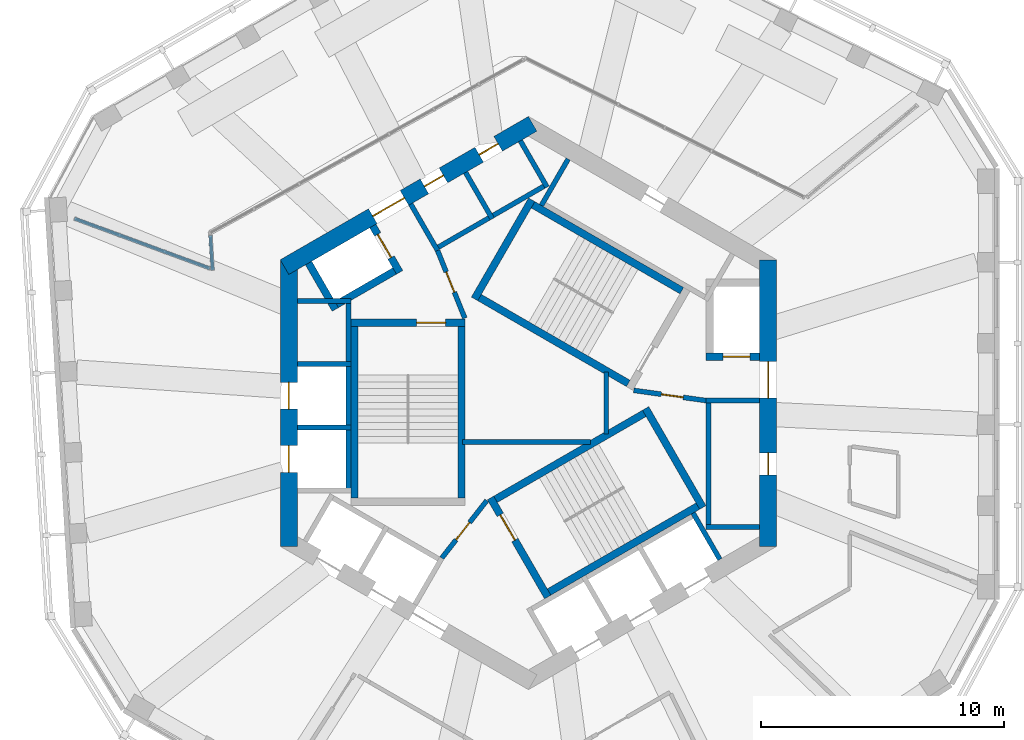
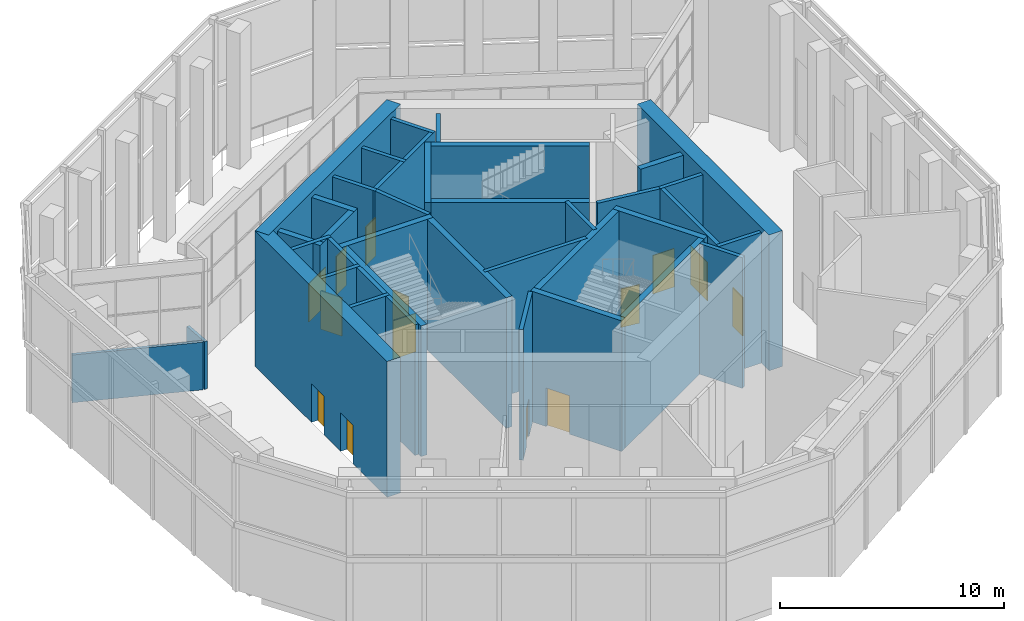
# One storey, part 9 of 16: 37 walls, 14 doors, 14 openings.
"""IFC4 building model written with IfcOpenShell, lengths in metres."""

from ifc_helpers import new_model, si_unit, direction, frame, frame_2d, origin, place, context, subcontext, project, spatial, rectangle, extrude, material, layer, layer_set, type_object, element, fill, save


model = new_model("IFC4")

# Units and contexts
model_context = context("Model", 3, precision=1e-05, world=origin(), true_north=direction((0.0, 1.0)))
body_context = subcontext(model_context, "Body", "Model", "MODEL_VIEW")
ifc_project = project(units=[si_unit("LENGTHUNIT", "METRE"), si_unit("AREAUNIT", "SQUARE_METRE"), si_unit("VOLUMEUNIT", "CUBIC_METRE"), si_unit("PLANEANGLEUNIT", "RADIAN"), si_unit("MASSUNIT", "GRAM", prefix="KILO")], contexts=[model_context])

# Site, building, storey
site_placement = place(None, origin())
site = spatial("IfcSite", under=ifc_project, at=site_placement, CompositionType="ELEMENT")
building_placement = place(site_placement, origin())
building = spatial("IfcBuilding", under=site, at=building_placement, Name="Vanh Sen Convention Tower", CompositionType="ELEMENT")
storey_placement = place(building_placement, frame((0.0, 0.0, 278.300048828125)))
storey = spatial("IfcBuildingStorey", under=building, at=storey_placement, Name="L69", CompositionType="ELEMENT", Elevation=278.300048828125)

# Wall, openings, doors
ifc_material_1 = material(Name="Concrete C60/75", Category="concrete")
ifc_layer_1 = layer(ifc_material_1, 0.699951171875)
ifc_layer_set_1 = layer_set([ifc_layer_1], Name="Concrete C60/75")
wall_type_1 = type_object("IfcWallType", Name="Core outer wall 700 C60/75", PredefinedType="SHEAR", material=ifc_layer_set_1)
wall_1_placement = place(storey_placement, frame((9.85009765625, -5.888916015625, 0.0), z_axis=(0.0, 0.0, 1.0), x_axis=(0.0, 1.0, 0.0)))
wall_1 = element("IfcWall", 1, at=wall_1_placement, inside=storey, type_object=wall_type_1, Name="Core wall face E L69", PredefinedType="SHEAR", context=body_context, shape_type="SweptSolid", body=[
    extrude(rectangle(XDim=11.77783203125, YDim=0.699951171875, at=frame_2d((5.888916015625, 0.0))), origin(), (0.0, 0.0, 1.0), 7.39990234375),
])
opening_1_placement = place(wall_1_placement, frame((6.089111328125, 0.0, 0.0)))
opening_1 = element("IfcOpeningElement", 2, at=opening_1_placement, cuts=wall_1, Name="Opening D69001", PredefinedType="OPENING", context=body_context, shape_type="SweptSolid", body=[
    extrude(rectangle(XDim=1.5, YDim=2.10009765625, at=frame_2d((0.75, 1.050048828125))), frame((0.0, 0.35986328125, 0.0), z_axis=(0.0, -1.0, 0.0), x_axis=(1.0, 0.0, 0.0)), (0.0, 0.0, 1.0), 0.719970703125),
])
opening_2_placement = place(wall_1_placement, frame((2.93896484375, 0.0, 0.0)))
opening_2 = element("IfcOpeningElement", 3, at=opening_2_placement, cuts=wall_1, Name="Opening D69010", PredefinedType="OPENING", context=body_context, shape_type="SweptSolid", body=[
    extrude(rectangle(XDim=0.89990234375, YDim=2.10009765625, at=frame_2d((0.449951171875, 1.050048828125))), frame((0.0, 0.35986328125, 0.0), z_axis=(0.0, -1.0, 0.0), x_axis=(1.0, 0.0, 0.0)), (0.0, 0.0, 1.0), 0.719970703125),
])
ifc_material_2 = material(Name="Steel S355", Category="steel")
door_type_1 = type_object("IfcDoorType", Name="Plant door 900", OperationType="SINGLE_SWING_LEFT", PredefinedType="DOOR", material=ifc_material_2)
door_1_placement = place(opening_2_placement, origin())
door_1 = element("IfcDoor", 4, at=door_1_placement, inside=storey, type_object=door_type_1, Name="Plant door D69010", OperationType="SINGLE_SWING_LEFT", OverallHeight=2.10009765625, OverallWidth=0.89990234375, PredefinedType="DOOR", context=body_context, shape_type="SweptSolid", body=[
    extrude(rectangle(XDim=0.89990234375, YDim=2.10009765625, at=frame_2d((0.449951171875, 1.050048828125))), frame((0.0, 0.02490234375, 0.0), z_axis=(0.0, -1.0, 0.0), x_axis=(1.0, 0.0, 0.0)), (0.0, 0.0, 1.0), 0.050048828125),
])
fill(opening_2, door_1)
door_type_2 = type_object("IfcDoorType", Name="Stair lobby door 1500", OperationType="DOUBLE_DOOR_SINGLE_SWING", PredefinedType="DOOR", material=ifc_material_2)
door_2_placement = place(opening_1_placement, origin())
door_2 = element("IfcDoor", 5, at=door_2_placement, inside=storey, type_object=door_type_2, Name="Stair lobby door D69001", OperationType="DOUBLE_DOOR_SINGLE_SWING", OverallHeight=2.10009765625, OverallWidth=1.5, PredefinedType="DOOR", context=body_context, shape_type="SweptSolid", body=[
    extrude(rectangle(XDim=1.5, YDim=2.10009765625, at=frame_2d((0.75, 1.050048828125))), frame((0.0, 0.02490234375, 0.0), z_axis=(0.0, -1.0, 0.0), x_axis=(1.0, 0.0, 0.0)), (0.0, 0.0, 1.0), 0.050048828125),
])
fill(opening_1, door_2)

wall_2_placement = place(storey_placement, frame((0.175048828125, 11.474853515625, 0.0), z_axis=(0.0, 0.0, 1.0), x_axis=(-0.866026453023, -0.499998182661, 0.0)))
wall_2 = element("IfcWall", 6, at=wall_2_placement, inside=storey, type_object=wall_type_1, Name="Core wall face NW L69", PredefinedType="SHEAR", context=body_context, shape_type="SweptSolid", body=[
    extrude(rectangle(XDim=11.77783203125, YDim=0.699951171875, at=frame_2d((5.888916015625, 0.0))), origin(), (0.0, 0.0, 1.0), 7.39990234375),
])
opening_3_placement = place(wall_2_placement, frame((6.089111328125, 0.0, 0.0)))
opening_3 = element("IfcOpeningElement", 7, at=opening_3_placement, cuts=wall_2, Name="Opening D69002", PredefinedType="OPENING", context=body_context, shape_type="SweptSolid", body=[
    extrude(rectangle(XDim=1.5, YDim=2.10009765625, at=frame_2d((0.75, 1.050048828125))), frame((0.0, 0.35986328125, 0.0), z_axis=(0.0, -1.0, 0.0), x_axis=(1.0, 0.0, 0.0)), (0.0, 0.0, 1.0), 0.719970703125),
])
opening_4_placement = place(wall_2_placement, frame((1.638916015625, 0.0, 0.0)))
opening_4 = element("IfcOpeningElement", 8, at=opening_4_placement, cuts=wall_2, Name="Opening D69012", PredefinedType="OPENING", context=body_context, shape_type="SweptSolid", body=[
    extrude(rectangle(XDim=0.89990234375, YDim=2.10009765625, at=frame_2d((0.449951171875, 1.050048828125))), frame((0.0, 0.35986328125, 0.0), z_axis=(0.0, -1.0, 0.0), x_axis=(1.0, 0.0, 0.0)), (0.0, 0.0, 1.0), 0.719970703125),
])
opening_5_placement = place(wall_2_placement, frame((4.239013671875, 0.0, 0.0)))
opening_5 = element("IfcOpeningElement", 9, at=opening_5_placement, cuts=wall_2, Name="Opening D69013", PredefinedType="OPENING", context=body_context, shape_type="SweptSolid", body=[
    extrude(rectangle(XDim=0.89990234375, YDim=2.10009765625, at=frame_2d((0.449951171875, 1.050048828125))), frame((0.0, 0.35986328125, 0.0), z_axis=(0.0, -1.0, 0.0), x_axis=(1.0, 0.0, 0.0)), (0.0, 0.0, 1.0), 0.719970703125),
])
door_3_placement = place(opening_4_placement, origin())
door_3 = element("IfcDoor", 10, at=door_3_placement, inside=storey, type_object=door_type_1, Name="Plant door D69012", OperationType="SINGLE_SWING_LEFT", OverallHeight=2.10009765625, OverallWidth=0.89990234375, PredefinedType="DOOR", context=body_context, shape_type="SweptSolid", body=[
    extrude(rectangle(XDim=0.89990234375, YDim=2.10009765625, at=frame_2d((0.449951171875, 1.050048828125))), frame((0.0, 0.02490234375, 0.0), z_axis=(0.0, -1.0, 0.0), x_axis=(1.0, 0.0, 0.0)), (0.0, 0.0, 1.0), 0.050048828125),
])
fill(opening_4, door_3)
door_4_placement = place(opening_5_placement, origin())
door_4 = element("IfcDoor", 11, at=door_4_placement, inside=storey, type_object=door_type_1, Name="Plant door D69013", OperationType="SINGLE_SWING_LEFT", OverallHeight=2.10009765625, OverallWidth=0.89990234375, PredefinedType="DOOR", context=body_context, shape_type="SweptSolid", body=[
    extrude(rectangle(XDim=0.89990234375, YDim=2.10009765625, at=frame_2d((0.449951171875, 1.050048828125))), frame((0.0, 0.02490234375, 0.0), z_axis=(0.0, -1.0, 0.0), x_axis=(1.0, 0.0, 0.0)), (0.0, 0.0, 1.0), 0.050048828125),
])
fill(opening_5, door_4)
door_5_placement = place(opening_3_placement, origin())
door_5 = element("IfcDoor", 12, at=door_5_placement, inside=storey, type_object=door_type_2, Name="Stair lobby door D69002", OperationType="DOUBLE_DOOR_SINGLE_SWING", OverallHeight=2.10009765625, OverallWidth=1.5, PredefinedType="DOOR", context=body_context, shape_type="SweptSolid", body=[
    extrude(rectangle(XDim=1.5, YDim=2.10009765625, at=frame_2d((0.75, 1.050048828125))), frame((0.0, 0.02490234375, 0.0), z_axis=(0.0, -1.0, 0.0), x_axis=(1.0, 0.0, 0.0)), (0.0, 0.0, 1.0), 0.050048828125),
])
fill(opening_3, door_5)

wall_3_placement = place(storey_placement, frame((-9.85009765625, 5.888916015625, 0.0), z_axis=(0.0, 0.0, 1.0), x_axis=(0.0, -1.0, 0.0)))
wall_3 = element("IfcWall", 13, at=wall_3_placement, inside=storey, type_object=wall_type_1, Name="Core wall face W L69", PredefinedType="SHEAR", context=body_context, shape_type="SweptSolid", body=[
    extrude(rectangle(XDim=11.77783203125, YDim=0.699951171875, at=frame_2d((5.888916015625, 0.0))), origin(), (0.0, 0.0, 1.0), 7.39990234375),
])
opening_6_placement = place(wall_3_placement, frame((5.0390625, 0.0, 0.0)))
opening_6 = element("IfcOpeningElement", 14, at=opening_6_placement, cuts=wall_3, Name="Opening LD-HR1", PredefinedType="OPENING", context=body_context, shape_type="SweptSolid", body=[
    extrude(rectangle(XDim=1.10009765625, YDim=2.10009765625, at=frame_2d((0.550048828125, 1.050048828125))), frame((0.0, 0.35986328125, 0.0), z_axis=(0.0, -1.0, 0.0), x_axis=(1.0, 0.0, 0.0)), (0.0, 0.0, 1.0), 0.719970703125),
])
opening_7_placement = place(wall_3_placement, frame((7.638916015625, 0.0, 0.0)))
opening_7 = element("IfcOpeningElement", 15, at=opening_7_placement, cuts=wall_3, Name="Opening LD-HR2", PredefinedType="OPENING", context=body_context, shape_type="SweptSolid", body=[
    extrude(rectangle(XDim=1.10009765625, YDim=2.10009765625, at=frame_2d((0.550048828125, 1.050048828125))), frame((0.0, 0.35986328125, 0.0), z_axis=(0.0, -1.0, 0.0), x_axis=(1.0, 0.0, 0.0)), (0.0, 0.0, 1.0), 0.719970703125),
])
ifc_material_3 = material(Name="Stainless steel", Category="steel")
door_type_3 = type_object("IfcDoorType", Name="Lift landing door 1100", OperationType="DOUBLE_DOOR_SLIDING", PredefinedType="DOOR", material=ifc_material_3)
door_6_placement = place(opening_6_placement, origin())
door_6 = element("IfcDoor", 16, at=door_6_placement, inside=storey, type_object=door_type_3, Name="Lift HR1 landing door LD-HR1", OperationType="DOUBLE_DOOR_SLIDING", OverallHeight=2.10009765625, OverallWidth=1.10009765625, PredefinedType="DOOR", context=body_context, shape_type="SweptSolid", body=[
    extrude(rectangle(XDim=1.10009765625, YDim=2.10009765625, at=frame_2d((0.550048828125, 1.050048828125))), frame((0.0, 0.02490234375, 0.0), z_axis=(0.0, -1.0, 0.0), x_axis=(1.0, 0.0, 0.0)), (0.0, 0.0, 1.0), 0.050048828125),
])
fill(opening_6, door_6)
door_7_placement = place(opening_7_placement, origin())
door_7 = element("IfcDoor", 17, at=door_7_placement, inside=storey, type_object=door_type_3, Name="Lift HR2 landing door LD-HR2", OperationType="DOUBLE_DOOR_SLIDING", OverallHeight=2.10009765625, OverallWidth=1.10009765625, PredefinedType="DOOR", context=body_context, shape_type="SweptSolid", body=[
    extrude(rectangle(XDim=1.10009765625, YDim=2.10009765625, at=frame_2d((0.550048828125, 1.050048828125))), frame((0.0, 0.02490234375, 0.0), z_axis=(0.0, -1.0, 0.0), x_axis=(1.0, 0.0, 0.0)), (0.0, 0.0, 1.0), 0.050048828125),
])
fill(opening_7, door_7)

# Walls
ifc_material_4 = material(Name="Masonry blockwork", Category="masonry")
ifc_layer_2 = layer(ifc_material_4, 0.199951171875)
ifc_layer_set_2 = layer_set([ifc_layer_2], Name="Masonry blockwork")
wall_type_2 = type_object("IfcWallType", Name="Core partition 200", PredefinedType="PARTITIONING", material=ifc_layer_set_2)
wall_4_placement = place(storey_placement, frame((-2.719970703125, -1.60009765625, 0.0), z_axis=(0.0, 0.0, 1.0), x_axis=(1.0, 0.0, 0.0)))
element("IfcWall", 18, at=wall_4_placement, inside=storey, type_object=wall_type_2, Name="Core partition L69", PredefinedType="PARTITIONING", context=body_context, shape_type="SweptSolid", body=[
    extrude(rectangle(XDim=5.2685546875, YDim=0.199951171875, at=frame_2d((2.63427734375, 0.0))), origin(), (0.0, 0.0, 1.0), 7.119873046875),
])
wall_5_placement = place(storey_placement, frame((3.199951171875, -1.274658203125, 0.0), z_axis=(0.0, 0.0, 1.0), x_axis=(0.0, 1.0, 0.0)))
element("IfcWall", 19, at=wall_5_placement, inside=storey, type_object=wall_type_2, Name="Core partition L69", PredefinedType="PARTITIONING", context=body_context, shape_type="SweptSolid", body=[
    extrude(rectangle(XDim=2.54931640625, YDim=0.199951171875, at=frame_2d((1.274658203125, 0.0))), origin(), (0.0, 0.0, 1.0), 7.119873046875),
])

# Wall, opening, door
ifc_layer_3 = layer(ifc_material_1, 0.300048828125)
ifc_layer_set_3 = layer_set([ifc_layer_3], Name="Concrete C60/75")
wall_type_3 = type_object("IfcWallType", Name="Fire-fighting lift shaft wall 300", PredefinedType="SHEAR", material=ifc_layer_set_3)
wall_6_placement = place(storey_placement, frame((7.300048828125, 1.89990234375, 0.0), z_axis=(0.0, 0.0, 1.0), x_axis=(1.0, 0.0, 0.0)))
wall_6 = element("IfcWall", 20, at=wall_6_placement, inside=storey, type_object=wall_type_3, Name="Fire-fighting lift shaft wall L69", PredefinedType="SHEAR", context=body_context, shape_type="SweptSolid", body=[
    extrude(rectangle(XDim=2.199951171875, YDim=0.300048828125, at=frame_2d((1.10009765625, 0.0))), origin(), (0.0, 0.0, 1.0), 7.119873046875),
])
opening_8_placement = place(wall_6_placement, frame((0.699951171875, 0.0, 0.0)))
opening_8 = element("IfcOpeningElement", 21, at=opening_8_placement, cuts=wall_6, Name="Opening LD-FF1", PredefinedType="OPENING", context=body_context, shape_type="SweptSolid", body=[
    extrude(rectangle(XDim=1.10009765625, YDim=2.10009765625, at=frame_2d((0.550048828125, 1.050048828125))), frame((0.0, 0.159912109375, 0.0), z_axis=(0.0, -1.0, 0.0), x_axis=(1.0, 0.0, 0.0)), (0.0, 0.0, 1.0), 0.320068359375),
])
door_type_4 = type_object("IfcDoorType", Name="Fire-fighting lift landing door 1100", OperationType="DOUBLE_DOOR_SLIDING", PredefinedType="DOOR", material=ifc_material_3)
door_8_placement = place(opening_8_placement, origin())
door_8 = element("IfcDoor", 22, at=door_8_placement, inside=storey, type_object=door_type_4, Name="Lift FF1 landing door LD-FF1", OperationType="DOUBLE_DOOR_SLIDING", OverallHeight=2.10009765625, OverallWidth=1.10009765625, PredefinedType="DOOR", context=body_context, shape_type="SweptSolid", body=[
    extrude(rectangle(XDim=1.10009765625, YDim=2.10009765625, at=frame_2d((0.550048828125, 1.050048828125))), frame((0.0, 0.02490234375, 0.0), z_axis=(0.0, -1.0, 0.0), x_axis=(1.0, 0.0, 0.0)), (0.0, 0.0, 1.0), 0.050048828125),
])
fill(opening_8, door_8)

wall_7_placement = place(storey_placement, frame((-5.29541015625, 5.3720703125, 0.0), z_axis=(0.0, 0.0, 1.0), x_axis=(-0.500077893725, 0.86598042715, 0.0)))
wall_7 = element("IfcWall", 23, at=wall_7_placement, inside=storey, type_object=wall_type_3, Name="Fire-fighting lift shaft wall L69", PredefinedType="SHEAR", context=body_context, shape_type="SweptSolid", body=[
    extrude(rectangle(XDim=2.199951171875, YDim=0.300048828125, at=frame_2d((1.10009765625, 0.0))), origin(), (0.0, 0.0, 1.0), 7.119873046875),
])
opening_9_placement = place(wall_7_placement, frame((0.699951171875, 0.0, 0.0)))
opening_9 = element("IfcOpeningElement", 24, at=opening_9_placement, cuts=wall_7, Name="Opening LD-FF2", PredefinedType="OPENING", context=body_context, shape_type="SweptSolid", body=[
    extrude(rectangle(XDim=1.10009765625, YDim=2.10009765625, at=frame_2d((0.550048828125, 1.050048828125))), frame((0.0, 0.159912109375, 0.0), z_axis=(0.0, -1.0, 0.0), x_axis=(1.0, 0.0, 0.0)), (0.0, 0.0, 1.0), 0.320068359375),
])
door_9_placement = place(opening_9_placement, origin())
door_9 = element("IfcDoor", 25, at=door_9_placement, inside=storey, type_object=door_type_4, Name="Lift FF2 landing door LD-FF2", OperationType="DOUBLE_DOOR_SLIDING", OverallHeight=2.10009765625, OverallWidth=1.10009765625, PredefinedType="DOOR", context=body_context, shape_type="SweptSolid", body=[
    extrude(rectangle(XDim=1.10009765625, YDim=2.10009765625, at=frame_2d((0.550048828125, 1.050048828125))), frame((0.0, 0.02490234375, 0.0), z_axis=(0.0, -1.0, 0.0), x_axis=(1.0, 0.0, 0.0)), (0.0, 0.0, 1.0), 0.050048828125),
])
fill(opening_9, door_9)

# Walls
wall_8_placement = place(storey_placement, frame((-5.240478515625, 5.576904296875, 0.0), z_axis=(0.0, 0.0, 1.0), x_axis=(-0.866014461049, -0.500018952895, 0.0)))
element("IfcWall", 26, at=wall_8_placement, inside=storey, type_object=wall_type_3, Name="Fire-fighting lift shaft wall L69", PredefinedType="SHEAR", context=body_context, shape_type="SweptSolid", body=[
    extrude(rectangle(XDim=3.349853515625, YDim=0.300048828125, at=frame_2d((1.6748046875, 0.0))), origin(), (0.0, 0.0, 1.0), 7.119873046875),
])
wall_9_placement = place(storey_placement, frame((-7.936767578125, 3.846923828125, 0.0), z_axis=(0.0, 0.0, 1.0), x_axis=(-0.50002983664, 0.866008176907, 0.0)))
element("IfcWall", 27, at=wall_9_placement, inside=storey, type_object=wall_type_3, Name="Fire-fighting lift shaft wall L69", PredefinedType="SHEAR", context=body_context, shape_type="SweptSolid", body=[
    extrude(rectangle(XDim=2.199951171875, YDim=0.300048828125, at=frame_2d((1.10009765625, 0.0))), origin(), (0.0, 0.0, 1.0), 7.119873046875),
])
ifc_material_5 = material(Name="Concrete C40/50", Category="concrete")
ifc_layer_4 = layer(ifc_material_5, 0.199951171875)
ifc_layer_set_4 = layer_set([ifc_layer_4], Name="Concrete C40/50")
wall_type_4 = type_object("IfcWallType", Name="Lift shaft wall 200", PredefinedType="PARTITIONING", material=ifc_layer_set_4)
wall_10_placement = place(storey_placement, frame((7.39990234375, -5.199951171875, 0.0), z_axis=(0.0, 0.0, 1.0), x_axis=(0.0, 1.0, 0.0)))
element("IfcWall", 28, at=wall_10_placement, inside=storey, type_object=wall_type_4, Name="Lift shaft wall L69", PredefinedType="PARTITIONING", context=body_context, shape_type="SweptSolid", body=[
    extrude(rectangle(XDim=5.39990234375, YDim=0.199951171875, at=frame_2d((2.699951171875, 0.0))), origin(), (0.0, 0.0, 1.0), 7.119873046875),
])
for number, where, z_axis, x_axis, name in (
    (29, (7.300048828125, -5.10009765625, 0.0), (0.0, 0.0, 1.0), (1.0, 0.0, 0.0), "Lift shaft wall L69"),
    (30, (7.300048828125, 0.10009765625, 0.0), (0.0, 0.0, 1.0), (1.0, 0.0, 0.0), "Lift shaft wall L69"),
    (31, (0.5322265625, 8.1220703125, 0.0), (0.0, 0.0, 1.0), (0.500077893725, 0.86598042715, 0.0), "Lift shaft wall L69"),
):
    element("IfcWall", number, at=place(storey_placement, frame(where, z_axis=z_axis, x_axis=x_axis)), inside=storey, type_object=wall_type_4, Name=name, PredefinedType="PARTITIONING", context=body_context, shape_type="SweptSolid", body=[
        extrude(rectangle(XDim=2.199951171875, YDim=0.199951171875, at=frame_2d((1.10009765625, 0.0))), origin(), (0.0, 0.0, 1.0), 7.119873046875),
    ])
wall_11_placement = place(storey_placement, frame((0.80322265625, 9.008544921875, 0.0), z_axis=(0.0, 0.0, 1.0), x_axis=(-0.866028230842, -0.499995103361, 0.0)))
element("IfcWall", 32, at=wall_11_placement, inside=storey, type_object=wall_type_4, Name="Lift shaft wall L69", PredefinedType="PARTITIONING", context=body_context, shape_type="SweptSolid", body=[
    extrude(rectangle(XDim=5.39990234375, YDim=0.199951171875, at=frame_2d((2.699951171875, 0.0))), origin(), (0.0, 0.0, 1.0), 7.119873046875),
])
wall_12_placement = place(storey_placement, frame((0.7666015625, 8.8720703125, 0.0), z_axis=(0.0, 0.0, 1.0), x_axis=(-0.499994660107, 0.866028486751, 0.0)))
element("IfcWall", 33, at=wall_12_placement, inside=storey, type_object=wall_type_4, Name="Lift shaft wall L69", PredefinedType="PARTITIONING", context=body_context, shape_type="SweptSolid", body=[
    extrude(rectangle(XDim=2.19970703125, YDim=0.199951171875, at=frame_2d((1.099853515625, 0.0))), origin(), (0.0, 0.0, 1.0), 7.119873046875),
])
for number, where, z_axis, x_axis, name in (
    (34, (-1.48486328125, 7.572021484375, 0.0), (0.0, 0.0, 1.0), (-0.50002983664, 0.866008176907, 0.0), "Lift shaft wall L69"),
    (35, (-3.736572265625, 6.27197265625, 0.0), (0.0, 0.0, 1.0), (-0.50002983664, 0.866008176907, 0.0), "Lift shaft wall L69"),
):
    element("IfcWall", number, at=place(storey_placement, frame(where, z_axis=z_axis, x_axis=x_axis)), inside=storey, type_object=wall_type_4, Name=name, PredefinedType="PARTITIONING", context=body_context, shape_type="SweptSolid", body=[
        extrude(rectangle(XDim=2.199951171875, YDim=0.199951171875, at=frame_2d((1.10009765625, 0.0))), origin(), (0.0, 0.0, 1.0), 7.119873046875),
    ])
wall_13_placement = place(storey_placement, frame((-7.39990234375, 4.300048828125, 0.0), z_axis=(0.0, 0.0, 1.0), x_axis=(0.0, -1.0, 0.0)))
element("IfcWall", 36, at=wall_13_placement, inside=storey, type_object=wall_type_4, Name="Lift shaft wall L69", PredefinedType="PARTITIONING", context=body_context, shape_type="SweptSolid", body=[
    extrude(rectangle(XDim=8.0, YDim=0.199951171875, at=frame_2d((4.0, 0.0))), origin(), (0.0, 0.0, 1.0), 7.119873046875),
])
for number, where, z_axis, x_axis, name in (
    (37, (-7.300048828125, 4.199951171875, 0.0), (0.0, 0.0, 1.0), (-1.0, 0.0, 0.0), "Lift shaft wall L69"),
    (38, (-7.300048828125, 1.60009765625, 0.0), (0.0, 0.0, 1.0), (-1.0, 0.0, 0.0), "Lift shaft wall L69"),
    (39, (-7.300048828125, -1.0, 0.0), (0.0, 0.0, 1.0), (-1.0, 0.0, 0.0), "Lift shaft wall L69"),
    (40, (6.767578125, -4.52197265625, 0.0), (0.0, 0.0, 1.0), (0.50002983664, -0.866008176907, 0.0), "Lift shaft wall L69"),
):
    element("IfcWall", number, at=place(storey_placement, frame(where, z_axis=z_axis, x_axis=x_axis)), inside=storey, type_object=wall_type_4, Name=name, PredefinedType="PARTITIONING", context=body_context, shape_type="SweptSolid", body=[
        extrude(rectangle(XDim=2.199951171875, YDim=0.199951171875, at=frame_2d((1.10009765625, 0.0))), origin(), (0.0, 0.0, 1.0), 7.119873046875),
    ])

# Wall, opening, door
ifc_layer_5 = layer(ifc_material_5, 0.199951171875)
ifc_layer_set_5 = layer_set([ifc_layer_5], Name="Concrete C40/50")
wall_type_5 = type_object("IfcWallType", Name="Stair lobby wall 200", PredefinedType="PARTITIONING", material=ifc_layer_set_5)
wall_14_placement = place(storey_placement, frame((4.327392578125, 0.52099609375, 0.0), z_axis=(0.0, 0.0, 1.0), x_axis=(0.990124376366, -0.14019172346, 0.0)))
wall_14 = element("IfcWall", 41, at=wall_14_placement, inside=storey, type_object=wall_type_5, Name="Stair lobby wall L69", PredefinedType="PARTITIONING", context=body_context, shape_type="SweptSolid", body=[
    extrude(rectangle(XDim=3.002197265625, YDim=0.199951171875, at=frame_2d((1.5009765625, 0.0))), origin(), (0.0, 0.0, 1.0), 7.119873046875),
])
opening_10_placement = place(wall_14_placement, frame((1.14990234375, 0.0, 0.0)))
opening_10 = element("IfcOpeningElement", 42, at=opening_10_placement, cuts=wall_14, Name="Opening D69007", PredefinedType="OPENING", context=body_context, shape_type="SweptSolid", body=[
    extrude(rectangle(XDim=0.89990234375, YDim=2.10009765625, at=frame_2d((0.449951171875, 1.050048828125))), frame((0.0, 0.10986328125, 0.0), z_axis=(0.0, -1.0, 0.0), x_axis=(1.0, 0.0, 0.0)), (0.0, 0.0, 1.0), 0.219970703125),
])
door_10_placement = place(opening_10_placement, origin())
door_10 = element("IfcDoor", 43, at=door_10_placement, inside=storey, type_object=door_type_1, Name="Plant door D69007", OperationType="SINGLE_SWING_LEFT", OverallHeight=2.10009765625, OverallWidth=0.89990234375, PredefinedType="DOOR", context=body_context, shape_type="SweptSolid", body=[
    extrude(rectangle(XDim=0.89990234375, YDim=2.10009765625, at=frame_2d((0.449951171875, 1.050048828125))), frame((0.0, 0.02490234375, 0.0), z_axis=(0.0, -1.0, 0.0), x_axis=(1.0, 0.0, 0.0)), (0.0, 0.0, 1.0), 0.050048828125),
])
fill(opening_10, door_10)

wall_15_placement = place(storey_placement, frame((-2.614990234375, 3.487060546875, 0.0), z_axis=(0.0, 0.0, 1.0), x_axis=(-0.373576831041, 0.92759924068, 0.0)))
wall_15 = element("IfcWall", 44, at=wall_15_placement, inside=storey, type_object=wall_type_5, Name="Stair lobby wall L69", PredefinedType="PARTITIONING", context=body_context, shape_type="SweptSolid", body=[
    extrude(rectangle(XDim=3.002197265625, YDim=0.199951171875, at=frame_2d((1.5009765625, 0.0))), origin(), (0.0, 0.0, 1.0), 7.119873046875),
])
opening_11_placement = place(wall_15_placement, frame((1.14990234375, 0.0, 0.0)))
opening_11 = element("IfcOpeningElement", 45, at=opening_11_placement, cuts=wall_15, Name="Opening D69008", PredefinedType="OPENING", context=body_context, shape_type="SweptSolid", body=[
    extrude(rectangle(XDim=0.89990234375, YDim=2.10009765625, at=frame_2d((0.449951171875, 1.050048828125))), frame((0.0, 0.10986328125, 0.0), z_axis=(0.0, -1.0, 0.0), x_axis=(1.0, 0.0, 0.0)), (0.0, 0.0, 1.0), 0.219970703125),
])
door_11_placement = place(opening_11_placement, origin())
door_11 = element("IfcDoor", 46, at=door_11_placement, inside=storey, type_object=door_type_1, Name="Plant door D69008", OperationType="SINGLE_SWING_LEFT", OverallHeight=2.10009765625, OverallWidth=0.89990234375, PredefinedType="DOOR", context=body_context, shape_type="SweptSolid", body=[
    extrude(rectangle(XDim=0.89990234375, YDim=2.10009765625, at=frame_2d((0.449951171875, 1.050048828125))), frame((0.0, 0.02490234375, 0.0), z_axis=(0.0, -1.0, 0.0), x_axis=(1.0, 0.0, 0.0)), (0.0, 0.0, 1.0), 0.050048828125),
])
fill(opening_11, door_11)

wall_16_placement = place(storey_placement, frame((-1.71240234375, -4.00830078125, 0.0), z_axis=(0.0, 0.0, 1.0), x_axis=(-0.616549420702, -0.787316208287, 0.0)))
wall_16 = element("IfcWall", 47, at=wall_16_placement, inside=storey, type_object=wall_type_5, Name="Stair lobby wall L69", PredefinedType="PARTITIONING", context=body_context, shape_type="SweptSolid", body=[
    extrude(rectangle(XDim=3.002197265625, YDim=0.199951171875, at=frame_2d((1.5009765625, 0.0))), origin(), (0.0, 0.0, 1.0), 7.119873046875),
])
opening_12_placement = place(wall_16_placement, frame((1.14990234375, 0.0, 0.0)))
opening_12 = element("IfcOpeningElement", 48, at=opening_12_placement, cuts=wall_16, Name="Opening D69009", PredefinedType="OPENING", context=body_context, shape_type="SweptSolid", body=[
    extrude(rectangle(XDim=0.89990234375, YDim=2.10009765625, at=frame_2d((0.449951171875, 1.050048828125))), frame((0.0, 0.10986328125, 0.0), z_axis=(0.0, -1.0, 0.0), x_axis=(1.0, 0.0, 0.0)), (0.0, 0.0, 1.0), 0.219970703125),
])
door_12_placement = place(opening_12_placement, origin())
door_12 = element("IfcDoor", 49, at=door_12_placement, inside=storey, type_object=door_type_1, Name="Plant door D69009", OperationType="SINGLE_SWING_LEFT", OverallHeight=2.10009765625, OverallWidth=0.89990234375, PredefinedType="DOOR", context=body_context, shape_type="SweptSolid", body=[
    extrude(rectangle(XDim=0.89990234375, YDim=2.10009765625, at=frame_2d((0.449951171875, 1.050048828125))), frame((0.0, 0.02490234375, 0.0), z_axis=(0.0, -1.0, 0.0), x_axis=(1.0, 0.0, 0.0)), (0.0, 0.0, 1.0), 0.050048828125),
])
fill(opening_12, door_12)

# Walls
ifc_layer_6 = layer(ifc_material_1, 0.300048828125)
ifc_layer_set_6 = layer_set([ifc_layer_6], Name="Concrete C60/75")
wall_type_6 = type_object("IfcWallType", Name="Stair wall 300", PredefinedType="SHEAR", material=ifc_layer_set_6)
wall_17_placement = place(storey_placement, frame((-2.216064453125, 4.28173828125, 0.0), z_axis=(0.0, 0.0, 1.0), x_axis=(0.499977259774, 0.866038532462, 0.0)))
element("IfcWall", 50, at=wall_17_placement, inside=storey, type_object=wall_type_6, Name="Stair wall L69", PredefinedType="SHEAR", context=body_context, shape_type="SweptSolid", body=[
    extrude(rectangle(XDim=4.699951171875, YDim=0.300048828125, at=frame_2d((2.35009765625, 0.0))), origin(), (0.0, 0.0, 1.0), 7.119873046875),
])
for number, where, z_axis, x_axis, name in (
    (51, (4.10302734375, 0.806640625, 0.0), (0.0, 0.0, 1.0), (-0.866027801685, 0.499995846692, 0.0), "Stair wall L69"),
    (52, (6.302978515625, 4.6171875, 0.0), (0.0, 0.0, 1.0), (-0.866027801685, 0.499995846692, 0.0), "Stair wall L69"),
):
    element("IfcWall", number, at=place(storey_placement, frame(where, z_axis=z_axis, x_axis=x_axis)), inside=storey, type_object=wall_type_6, Name=name, PredefinedType="SHEAR", context=body_context, shape_type="SweptSolid", body=[
        extrude(rectangle(XDim=7.06005859375, YDim=0.300048828125, at=frame_2d((3.530029296875, 0.0))), origin(), (0.0, 0.0, 1.0), 7.119873046875),
    ])

# Wall, opening, door
wall_18_placement = place(storey_placement, frame((-2.60009765625, 3.300048828125, 0.0), z_axis=(0.0, 0.0, 1.0), x_axis=(-1.0, 0.0, 0.0)))
wall_18 = element("IfcWall", 53, at=wall_18_placement, inside=storey, type_object=wall_type_6, Name="Stair wall L69", PredefinedType="SHEAR", context=body_context, shape_type="SweptSolid", body=[
    extrude(rectangle(XDim=4.699951171875, YDim=0.300048828125, at=frame_2d((2.35009765625, 0.0))), origin(), (0.0, 0.0, 1.0), 7.119873046875),
])
opening_13_placement = place(wall_18_placement, frame((0.800048828125, 0.0, 0.0)))
opening_13 = element("IfcOpeningElement", 54, at=opening_13_placement, cuts=wall_18, Name="Opening D69005", PredefinedType="OPENING", context=body_context, shape_type="SweptSolid", body=[
    extrude(rectangle(XDim=1.199951171875, YDim=2.10009765625, at=frame_2d((0.60009765625, 1.050048828125))), frame((0.0, 0.159912109375, 0.0), z_axis=(0.0, -1.0, 0.0), x_axis=(1.0, 0.0, 0.0)), (0.0, 0.0, 1.0), 0.320068359375),
])
door_type_5 = type_object("IfcDoorType", Name="Stair door 1200", OperationType="SINGLE_SWING_RIGHT", PredefinedType="DOOR", material=ifc_material_2)
door_13_placement = place(opening_13_placement, origin())
door_13 = element("IfcDoor", 55, at=door_13_placement, inside=storey, type_object=door_type_5, Name="Stair ST2 door D69005", OperationType="SINGLE_SWING_RIGHT", OverallHeight=2.10009765625, OverallWidth=1.199951171875, PredefinedType="DOOR", context=body_context, shape_type="SweptSolid", body=[
    extrude(rectangle(XDim=1.199951171875, YDim=2.10009765625, at=frame_2d((0.60009765625, 1.050048828125))), frame((0.0, 0.02490234375, 0.0), z_axis=(0.0, -1.0, 0.0), x_axis=(1.0, 0.0, 0.0)), (0.0, 0.0, 1.0), 0.050048828125),
])
fill(opening_13, door_13)

# Walls
for number, where, z_axis, x_axis, name in (
    (56, (-2.75, 3.14990234375, 0.0), (0.0, 0.0, 1.0), (0.0, -1.0, 0.0), "Stair wall L69"),
    (57, (-7.14990234375, 3.14990234375, 0.0), (0.0, 0.0, 1.0), (0.0, -1.0, 0.0), "Stair wall L69"),
):
    element("IfcWall", number, at=place(storey_placement, frame(where, z_axis=z_axis, x_axis=x_axis)), inside=storey, type_object=wall_type_6, Name=name, PredefinedType="SHEAR", context=body_context, shape_type="SweptSolid", body=[
        extrude(rectangle(XDim=7.059814453125, YDim=0.300048828125, at=frame_2d((3.52978515625, 0.0))), origin(), (0.0, 0.0, 1.0), 7.119873046875),
    ])

# Wall, opening, door
wall_19_placement = place(storey_placement, frame((-1.557861328125, -3.901611328125, 0.0), z_axis=(0.0, 0.0, 1.0), x_axis=(0.499977259774, -0.866038532462, 0.0)))
wall_19 = element("IfcWall", 58, at=wall_19_placement, inside=storey, type_object=wall_type_6, Name="Stair wall L69", PredefinedType="SHEAR", context=body_context, shape_type="SweptSolid", body=[
    extrude(rectangle(XDim=4.699951171875, YDim=0.300048828125, at=frame_2d((2.35009765625, 0.0))), origin(), (0.0, 0.0, 1.0), 7.119873046875),
])
opening_14_placement = place(wall_19_placement, frame((0.800048828125, 0.0, 0.0)))
opening_14 = element("IfcOpeningElement", 59, at=opening_14_placement, cuts=wall_19, Name="Opening D69006", PredefinedType="OPENING", context=body_context, shape_type="SweptSolid", body=[
    extrude(rectangle(XDim=1.199951171875, YDim=2.10009765625, at=frame_2d((0.60009765625, 1.050048828125))), frame((0.0, 0.159912109375, 0.0), z_axis=(0.0, -1.0, 0.0), x_axis=(1.0, 0.0, 0.0)), (0.0, 0.0, 1.0), 0.320068359375),
])
door_14_placement = place(opening_14_placement, origin())
door_14 = element("IfcDoor", 60, at=door_14_placement, inside=storey, type_object=door_type_5, Name="Stair ST3 door D69006", OperationType="SINGLE_SWING_RIGHT", OverallHeight=2.10009765625, OverallWidth=1.199951171875, PredefinedType="DOOR", context=body_context, shape_type="SweptSolid", body=[
    extrude(rectangle(XDim=1.199951171875, YDim=2.10009765625, at=frame_2d((0.60009765625, 1.050048828125))), frame((0.0, 0.02490234375, 0.0), z_axis=(0.0, -1.0, 0.0), x_axis=(1.0, 0.0, 0.0)), (0.0, 0.0, 1.0), 0.050048828125),
])
fill(opening_14, door_14)

# Walls
wall_20_placement = place(storey_placement, frame((4.816162109375, -0.2216796875, 0.0), z_axis=(0.0, 0.0, 1.0), x_axis=(0.499977259774, -0.866038532462, 0.0)))
element("IfcWall", 61, at=wall_20_placement, inside=storey, type_object=wall_type_6, Name="Stair wall L69", PredefinedType="SHEAR", context=body_context, shape_type="SweptSolid", body=[
    extrude(rectangle(XDim=4.699951171875, YDim=0.300048828125, at=frame_2d((2.35009765625, 0.0))), origin(), (0.0, 0.0, 1.0), 7.119873046875),
])
for number, where, z_axis, x_axis, name in (
    (62, (-1.35302734375, -3.95654296875, 0.0), (0.0, 0.0, 1.0), (0.866027801685, 0.499995846692, 0.0), "Stair wall L69"),
    (63, (0.846923828125, -7.76708984375, 0.0), (0.0, 0.0, 1.0), (0.866027801685, 0.499995846692, 0.0), "Stair wall L69"),
):
    element("IfcWall", number, at=place(storey_placement, frame(where, z_axis=z_axis, x_axis=x_axis)), inside=storey, type_object=wall_type_6, Name=name, PredefinedType="SHEAR", context=body_context, shape_type="SweptSolid", body=[
        extrude(rectangle(XDim=7.06005859375, YDim=0.300048828125, at=frame_2d((3.530029296875, 0.0))), origin(), (0.0, 0.0, 1.0), 7.119873046875),
    ])
ifc_material_6 = material(Name="Aluminium-framed structural glazing with clear glass", Category="aluminium")
ifc_layer_7 = layer(ifc_material_6, 0.14990234375)
ifc_layer_set_7 = layer_set([ifc_layer_7], Name="Aluminium-framed structural glazing with clear glass")
wall_type_7 = type_object("IfcWallType", Name="Winter garden glazed wall 150", PredefinedType="STANDARD", material=ifc_layer_set_7)
wall_21_placement = place(storey_placement, frame((-18.66162109375, 7.582275390625, 0.0), z_axis=(0.0, 0.0, 1.0), x_axis=(0.938501865144, -0.345274165152, 0.0)))
element("IfcWall", 64, at=wall_21_placement, inside=storey, type_object=wall_type_7, Name="Winter garden wall 1 L69", PredefinedType="STANDARD", context=body_context, shape_type="SweptSolid", body=[
    extrude(rectangle(XDim=5.930419921875, YDim=0.14990234375, at=frame_2d((2.96533203125, 0.0))), origin(), (0.0, 0.0, 1.0), 2.599853515625),
])
wall_22_placement = place(storey_placement, frame((-12.982421875, 5.458251953125, 0.0), z_axis=(0.0, 0.0, 1.0), x_axis=(-0.06115150754, 0.998128495298, 0.0)))
element("IfcWall", 65, at=wall_22_placement, inside=storey, type_object=wall_type_7, Name="Winter garden wall 2 L69", PredefinedType="STANDARD", context=body_context, shape_type="SweptSolid", body=[
    extrude(rectangle(XDim=1.437255859375, YDim=0.14990234375, at=frame_2d((0.71875, 0.0))), origin(), (0.0, 0.0, 1.0), 2.599853515625),
])

save(model, "model.ifc")
